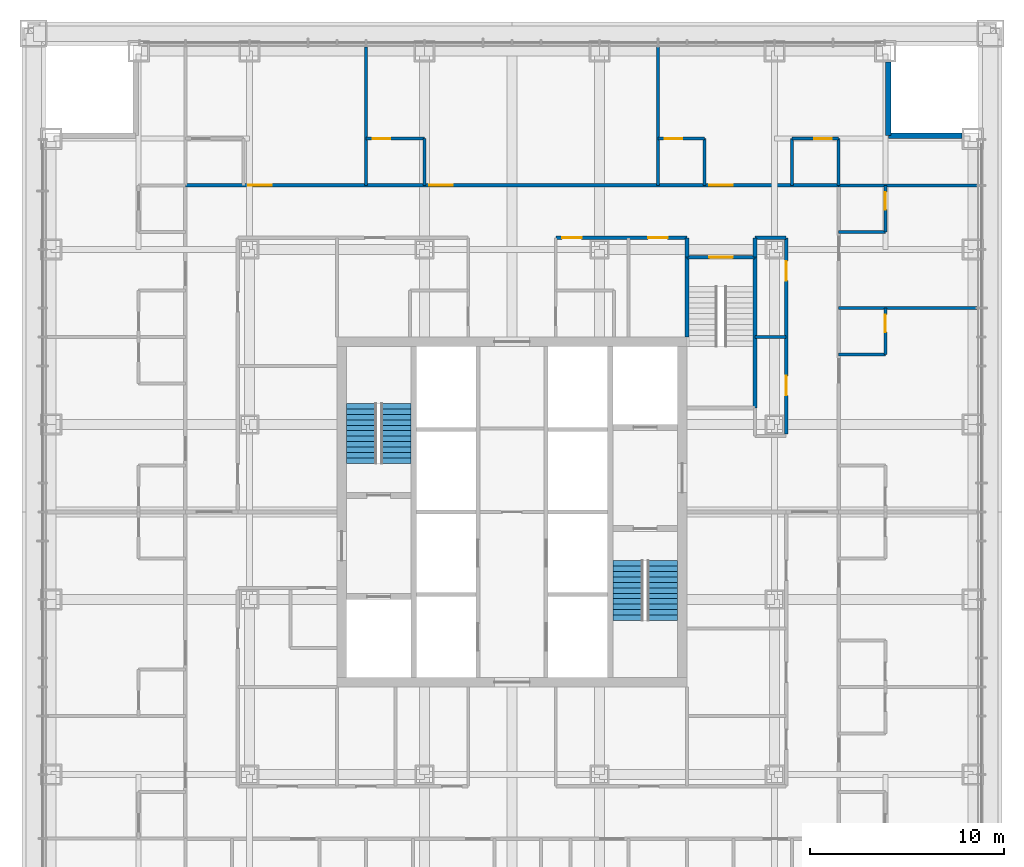
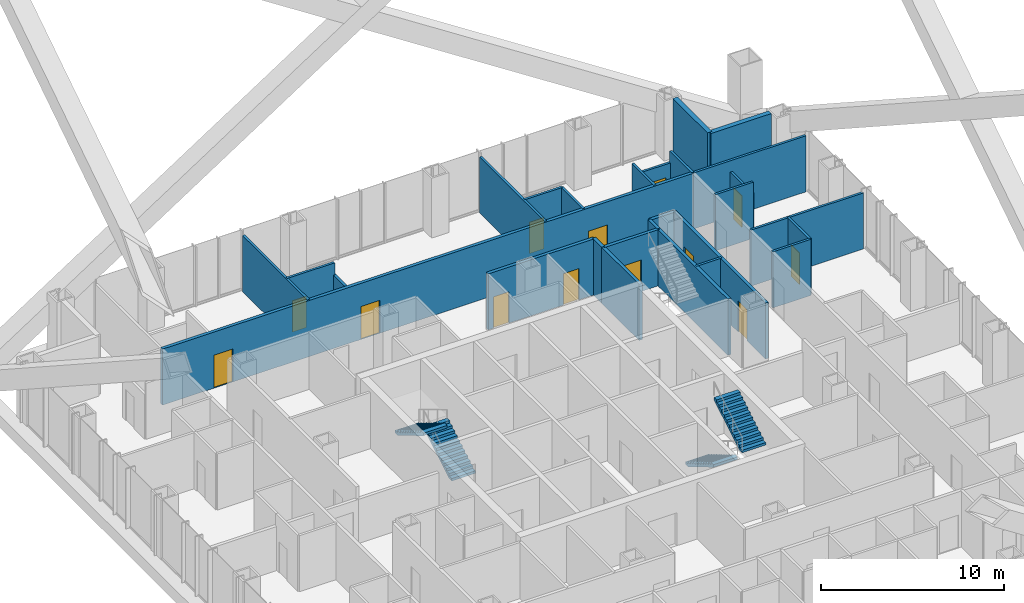
# One storey, part 15 of 21: 27 walls, 13 doors, 4 stair flights, 13 openings, 2 elements without a shape of their own.
"""IFC4 building model written with IfcOpenShell, lengths in metres."""

from ifc_helpers import new_model, si_unit, direction, frame, frame_2d, origin, place, context, subcontext, project, spatial, polyline, rectangle, outline, extrude, material, layer, layer_set, type_object, element, fill, aggregate, save


model = new_model("IFC4")

# Units and contexts
model_context = context("Model", 3, precision=1e-05, world=origin(), true_north=direction((0.0, 1.0)))
body_context = subcontext(model_context, "Body", "Model", "MODEL_VIEW")
ifc_project = project(units=[si_unit("LENGTHUNIT", "METRE"), si_unit("AREAUNIT", "SQUARE_METRE"), si_unit("VOLUMEUNIT", "CUBIC_METRE"), si_unit("PLANEANGLEUNIT", "RADIAN"), si_unit("MASSUNIT", "GRAM", prefix="KILO")], contexts=[model_context])

# Site, building, storey
site_placement = place(None, origin())
site = spatial("IfcSite", under=ifc_project, at=site_placement, CompositionType="ELEMENT")
building_placement = place(site_placement, origin())
building = spatial("IfcBuilding", under=site, at=building_placement, Name="Malebo Sky Hospital", CompositionType="ELEMENT")
storey_placement = place(building_placement, frame((0.0, 0.0, 140.0)))
storey = spatial("IfcBuildingStorey", under=building, at=storey_placement, Name="L33", CompositionType="ELEMENT", Elevation=140.0)

# Wall, openings, doors
ifc_material_1 = material(Name="Gypsum board on steel studs", Category="steel")
ifc_layer_1 = layer(ifc_material_1, 0.199951171875)
ifc_layer_set_1 = layer_set([ifc_layer_1], Name="CORRIDOR WALL 200")
wall_type_1 = type_object("IfcWallType", Name="CORRIDOR WALL 200", PredefinedType="PARTITIONING", material=ifc_layer_set_1)
wall_1_placement = place(storey_placement, frame((43.199951171875, 78.800048828125, 0.0), z_axis=(0.0, 0.0, 1.0), x_axis=(1.0, 0.0, 0.0)))
wall_1 = element("IfcWall", 1, at=wall_1_placement, inside=storey, type_object=wall_type_1, Name="Corridor Wall 200 NCO", PredefinedType="PARTITIONING", context=body_context, shape_type="SweptSolid", body=[
    extrude(rectangle(XDim=33.60009765625, YDim=0.199951171875, at=frame_2d((16.800048828125, 0.0))), origin(), (0.0, 0.0, 1.0), 3.75),
])
opening_1_placement = place(wall_1_placement, frame((3.25, 0.0, 0.0)))
opening_1 = element("IfcOpeningElement", 2, at=opening_1_placement, cuts=wall_1, Name="Opening D01", PredefinedType="OPENING", context=body_context, shape_type="SweptSolid", body=[
    extrude(rectangle(XDim=1.199951171875, YDim=2.199951171875, at=frame_2d((0.60009765625, 1.10009765625))), frame((0.0, 0.10986328125, 0.0), z_axis=(0.0, -1.0, 0.0), x_axis=(1.0, 0.0, 0.0)), (0.0, 0.0, 1.0), 0.219970703125),
])
opening_2_placement = place(wall_1_placement, frame((12.550048828125, 0.0, 0.0)))
opening_2 = element("IfcOpeningElement", 3, at=opening_2_placement, cuts=wall_1, Name="Opening D01", PredefinedType="OPENING", context=body_context, shape_type="SweptSolid", body=[
    extrude(rectangle(XDim=1.199951171875, YDim=2.199951171875, at=frame_2d((0.60009765625, 1.10009765625))), frame((0.0, 0.10986328125, 0.0), z_axis=(0.0, -1.0, 0.0), x_axis=(1.0, 0.0, 0.0)), (0.0, 0.0, 1.0), 0.219970703125),
])
opening_3_placement = place(wall_1_placement, frame((26.949951171875, 0.0, 0.0)))
opening_3 = element("IfcOpeningElement", 4, at=opening_3_placement, cuts=wall_1, Name="Opening D01", PredefinedType="OPENING", context=body_context, shape_type="SweptSolid", body=[
    extrude(rectangle(XDim=1.199951171875, YDim=2.199951171875, at=frame_2d((0.60009765625, 1.10009765625))), frame((0.0, 0.10986328125, 0.0), z_axis=(0.0, -1.0, 0.0), x_axis=(1.0, 0.0, 0.0)), (0.0, 0.0, 1.0), 0.219970703125),
])
ifc_material_2 = material(Name="Hardwood-faced door leaf in steel frame", Category="steel")
door_type_1 = type_object("IfcDoorType", Name="BED DOOR 1200", OperationType="SINGLE_SWING_LEFT", PredefinedType="DOOR", material=ifc_material_2)
door_1_placement = place(opening_1_placement, origin())
door_1 = element("IfcDoor", 5, at=door_1_placement, inside=storey, type_object=door_type_1, Name="Dialysis bay door", OperationType="SINGLE_SWING_LEFT", OverallHeight=2.199951171875, OverallWidth=1.199951171875, PredefinedType="DOOR", context=body_context, shape_type="SweptSolid", body=[
    extrude(rectangle(XDim=1.199951171875, YDim=2.199951171875, at=frame_2d((0.60009765625, 1.10009765625))), frame((0.0, 0.02490234375, 0.0), z_axis=(0.0, -1.0, 0.0), x_axis=(1.0, 0.0, 0.0)), (0.0, 0.0, 1.0), 0.050048828125),
])
fill(opening_1, door_1)
door_2_placement = place(opening_2_placement, origin())
door_2 = element("IfcDoor", 6, at=door_2_placement, inside=storey, type_object=door_type_1, Name="Dialysis bay door", OperationType="SINGLE_SWING_LEFT", OverallHeight=2.199951171875, OverallWidth=1.199951171875, PredefinedType="DOOR", context=body_context, shape_type="SweptSolid", body=[
    extrude(rectangle(XDim=1.199951171875, YDim=2.199951171875, at=frame_2d((0.60009765625, 1.10009765625))), frame((0.0, 0.02490234375, 0.0), z_axis=(0.0, -1.0, 0.0), x_axis=(1.0, 0.0, 0.0)), (0.0, 0.0, 1.0), 0.050048828125),
])
fill(opening_2, door_2)
door_3_placement = place(opening_3_placement, origin())
door_3 = element("IfcDoor", 7, at=door_3_placement, inside=storey, type_object=door_type_1, Name="Four-bed bay door", OperationType="SINGLE_SWING_LEFT", OverallHeight=2.199951171875, OverallWidth=1.199951171875, PredefinedType="DOOR", context=body_context, shape_type="SweptSolid", body=[
    extrude(rectangle(XDim=1.199951171875, YDim=2.199951171875, at=frame_2d((0.60009765625, 1.10009765625))), frame((0.0, 0.02490234375, 0.0), z_axis=(0.0, -1.0, 0.0), x_axis=(1.0, 0.0, 0.0)), (0.0, 0.0, 1.0), 0.050048828125),
])
fill(opening_3, door_3)

wall_2_placement = place(storey_placement, frame((62.25, 76.10009765625, 0.0), z_axis=(0.0, 0.0, 1.0), x_axis=(1.0, 0.0, 0.0)))
wall_2 = element("IfcWall", 8, at=wall_2_placement, inside=storey, type_object=wall_type_1, Name="Corridor Wall 200 NCI2", PredefinedType="PARTITIONING", context=body_context, shape_type="SweptSolid", body=[
    extrude(rectangle(XDim=6.75, YDim=0.199951171875, at=frame_2d((3.375, 0.0))), origin(), (0.0, 0.0, 1.0), 3.75),
])
opening_4_placement = place(wall_2_placement, frame((0.324951171875, 0.0, 0.0)))
opening_4 = element("IfcOpeningElement", 9, at=opening_4_placement, cuts=wall_2, Name="Opening D03", PredefinedType="OPENING", context=body_context, shape_type="SweptSolid", body=[
    extrude(rectangle(XDim=1.0, YDim=2.10009765625, at=frame_2d((0.5, 1.050048828125))), frame((0.0, 0.10986328125, 0.0), z_axis=(0.0, -1.0, 0.0), x_axis=(1.0, 0.0, 0.0)), (0.0, 0.0, 1.0), 0.219970703125),
])
opening_5_placement = place(wall_2_placement, frame((4.75, 0.0, 0.0)))
opening_5 = element("IfcOpeningElement", 10, at=opening_5_placement, cuts=wall_2, Name="Opening D03", PredefinedType="OPENING", context=body_context, shape_type="SweptSolid", body=[
    extrude(rectangle(XDim=1.0, YDim=2.10009765625, at=frame_2d((0.5, 1.050048828125))), frame((0.0, 0.10986328125, 0.0), z_axis=(0.0, -1.0, 0.0), x_axis=(1.0, 0.0, 0.0)), (0.0, 0.0, 1.0), 0.219970703125),
])
door_type_2 = type_object("IfcDoorType", Name="ROOM DOOR 1000", OperationType="SINGLE_SWING_LEFT", PredefinedType="DOOR", material=ifc_material_2)
door_4_placement = place(opening_4_placement, origin())
door_4 = element("IfcDoor", 11, at=door_4_placement, inside=storey, type_object=door_type_2, Name="Linen store door", OperationType="SINGLE_SWING_LEFT", OverallHeight=2.10009765625, OverallWidth=1.0, PredefinedType="DOOR", context=body_context, shape_type="SweptSolid", body=[
    extrude(rectangle(XDim=1.0, YDim=2.10009765625, at=frame_2d((0.5, 1.050048828125))), frame((0.0, 0.02490234375, 0.0), z_axis=(0.0, -1.0, 0.0), x_axis=(1.0, 0.0, 0.0)), (0.0, 0.0, 1.0), 0.050048828125),
])
fill(opening_4, door_4)
door_5_placement = place(opening_5_placement, origin())
door_5 = element("IfcDoor", 12, at=door_5_placement, inside=storey, type_object=door_type_2, Name="Equipment store door", OperationType="SINGLE_SWING_RIGHT", OverallHeight=2.10009765625, OverallWidth=1.0, PredefinedType="DOOR", context=body_context, shape_type="SweptSolid", body=[
    extrude(rectangle(XDim=1.0, YDim=2.10009765625, at=frame_2d((0.5, 1.050048828125))), frame((0.0, 0.02490234375, 0.0), z_axis=(0.0, -1.0, 0.0), x_axis=(1.0, 0.0, 0.0)), (0.0, 0.0, 1.0), 0.050048828125),
])
fill(opening_5, door_5)

# Wall
wall_3_placement = place(storey_placement, frame((72.5, 76.10009765625, 0.0), z_axis=(0.0, 0.0, 1.0), x_axis=(1.0, 0.0, 0.0)))
element("IfcWall", 13, at=wall_3_placement, inside=storey, type_object=wall_type_1, Name="Corridor Wall 200 NCI2/2", PredefinedType="PARTITIONING", context=body_context, shape_type="SweptSolid", body=[
    extrude(rectangle(XDim=1.60009765625, YDim=0.199951171875, at=frame_2d((0.800048828125, 0.0))), origin(), (0.0, 0.0, 1.0), 3.75),
])

# Wall, openings, doors
wall_4_placement = place(storey_placement, frame((74.10009765625, 76.10009765625, 0.0), z_axis=(0.0, 0.0, 1.0), x_axis=(0.0, -1.0, 0.0)))
wall_4 = element("IfcWall", 14, at=wall_4_placement, inside=storey, type_object=wall_type_1, Name="Corridor Wall 200 ECI1", PredefinedType="PARTITIONING", context=body_context, shape_type="SweptSolid", body=[
    extrude(rectangle(XDim=10.10009765625, YDim=0.199951171875, at=frame_2d((5.050048828125, 0.0))), origin(), (0.0, 0.0, 1.0), 3.75),
])
opening_6_placement = place(wall_4_placement, frame((1.199951171875, 0.0, 0.0)))
opening_6 = element("IfcOpeningElement", 15, at=opening_6_placement, cuts=wall_4, Name="Opening D03", PredefinedType="OPENING", context=body_context, shape_type="SweptSolid", body=[
    extrude(rectangle(XDim=1.0, YDim=2.10009765625, at=frame_2d((0.5, 1.050048828125))), frame((0.0, 0.10986328125, 0.0), z_axis=(0.0, -1.0, 0.0), x_axis=(1.0, 0.0, 0.0)), (0.0, 0.0, 1.0), 0.219970703125),
])
opening_7_placement = place(wall_4_placement, frame((7.10009765625, 0.0, 0.0)))
opening_7 = element("IfcOpeningElement", 16, at=opening_7_placement, cuts=wall_4, Name="Opening D03", PredefinedType="OPENING", context=body_context, shape_type="SweptSolid", body=[
    extrude(rectangle(XDim=1.0, YDim=2.10009765625, at=frame_2d((0.5, 1.050048828125))), frame((0.0, 0.10986328125, 0.0), z_axis=(0.0, -1.0, 0.0), x_axis=(1.0, 0.0, 0.0)), (0.0, 0.0, 1.0), 0.219970703125),
])
door_6_placement = place(opening_6_placement, origin())
door_6 = element("IfcDoor", 17, at=door_6_placement, inside=storey, type_object=door_type_2, Name="Consulting room door", OperationType="SINGLE_SWING_LEFT", OverallHeight=2.10009765625, OverallWidth=1.0, PredefinedType="DOOR", context=body_context, shape_type="SweptSolid", body=[
    extrude(rectangle(XDim=1.0, YDim=2.10009765625, at=frame_2d((0.5, 1.050048828125))), frame((0.0, 0.02490234375, 0.0), z_axis=(0.0, -1.0, 0.0), x_axis=(1.0, 0.0, 0.0)), (0.0, 0.0, 1.0), 0.050048828125),
])
fill(opening_6, door_6)
door_7_placement = place(opening_7_placement, origin())
door_7 = element("IfcDoor", 18, at=door_7_placement, inside=storey, type_object=door_type_2, Name="Dietitian consulting room door", OperationType="SINGLE_SWING_LEFT", OverallHeight=2.10009765625, OverallWidth=1.0, PredefinedType="DOOR", context=body_context, shape_type="SweptSolid", body=[
    extrude(rectangle(XDim=1.0, YDim=2.10009765625, at=frame_2d((0.5, 1.050048828125))), frame((0.0, 0.02490234375, 0.0), z_axis=(0.0, -1.0, 0.0), x_axis=(1.0, 0.0, 0.0)), (0.0, 0.0, 1.0), 0.050048828125),
])
fill(opening_7, door_7)

# Walls
for number, where, z_axis, x_axis, name in (
    (19, (69.0, 75.10009765625, 0.0), (0.0, 0.0, 1.0), (0.0, 1.0, 0.0), "Corridor Wall 200 ST3AW"),
    (20, (72.5, 75.10009765625, 0.0), (0.0, 0.0, 1.0), (0.0, 1.0, 0.0), "Corridor Wall 200 ST3AE"),
):
    element("IfcWall", number, at=place(storey_placement, frame(where, z_axis=z_axis, x_axis=x_axis)), inside=storey, type_object=wall_type_1, Name=name, PredefinedType="PARTITIONING", context=body_context, shape_type="SweptSolid", body=[
        extrude(rectangle(XDim=1.0, YDim=0.199951171875, at=frame_2d((0.5, 0.0))), origin(), (0.0, 0.0, 1.0), 3.75),
    ])
ifc_material_3 = material(Name="Anodised aluminium rainscreen on steel framing", Category="steel")
ifc_layer_2 = layer(ifc_material_3, 0.300048828125)
ifc_layer_set_2 = layer_set([ifc_layer_2], Name="NOTCH RAINSCREEN WALL 300")
wall_type_2 = type_object("IfcWallType", Name="NOTCH RAINSCREEN WALL 300", PredefinedType="ELEMENTEDWALL", material=ifc_layer_set_2)
for number, where, z_axis, x_axis, name in (
    (21, (79.35009765625, 85.14990234375, 0.0), (0.0, 0.0, 1.0), (0.0, -1.0, 0.0), "Notch rainscreen wall N1 L33"),
    (22, (79.35009765625, 81.35009765625, 0.0), (0.0, 0.0, 1.0), (1.0, 0.0, 0.0), "Notch rainscreen wall N2 L33"),
):
    element("IfcWall", number, at=place(storey_placement, frame(where, z_axis=z_axis, x_axis=x_axis)), inside=storey, type_object=wall_type_2, Name=name, PredefinedType="ELEMENTEDWALL", context=body_context, shape_type="SweptSolid", body=[
        extrude(rectangle(XDim=3.7998046875, YDim=0.300048828125, at=frame_2d((1.89990234375, 0.0))), origin(), (0.0, 0.0, 1.0), 4.0),
    ])
ifc_layer_3 = layer(ifc_material_1, 0.14990234375)
ifc_layer_set_3 = layer_set([ifc_layer_3], Name="PARTITION 150")
wall_type_3 = type_object("IfcWallType", Name="PARTITION 150", PredefinedType="PARTITIONING", material=ifc_layer_set_3)
for number, where, z_axis, x_axis, name in (
    (23, (52.5, 78.800048828125, 0.0), (0.0, 0.0, 1.0), (0.0, 1.0, 0.0), "Partition 150 NP-7.5"),
    (24, (67.5, 78.800048828125, 0.0), (0.0, 0.0, 1.0), (0.0, 1.0, 0.0), "Partition 150 NP+7.5"),
):
    element("IfcWall", number, at=place(storey_placement, frame(where, z_axis=z_axis, x_axis=x_axis)), inside=storey, type_object=wall_type_3, Name=name, PredefinedType="PARTITIONING", context=body_context, shape_type="SweptSolid", body=[
        extrude(rectangle(XDim=7.10986328125, YDim=0.14990234375, at=frame_2d((3.554931640625, 0.0))), origin(), (0.0, 0.0, 1.0), 3.75),
    ])

# Wall, opening, door
wall_5_placement = place(storey_placement, frame((52.5, 81.199951171875, 0.0), z_axis=(0.0, 0.0, 1.0), x_axis=(1.0, 0.0, 0.0)))
wall_5 = element("IfcWall", 25, at=wall_5_placement, inside=storey, type_object=wall_type_3, Name="Partition 150 NE1F", PredefinedType="PARTITIONING", context=body_context, shape_type="SweptSolid", body=[
    extrude(rectangle(XDim=3.0, YDim=0.14990234375, at=frame_2d((1.5, 0.0))), origin(), (0.0, 0.0, 1.0), 3.75),
])
opening_8_placement = place(wall_5_placement, frame((0.35009765625, 0.0, 0.0)))
opening_8 = element("IfcOpeningElement", 26, at=opening_8_placement, cuts=wall_5, Name="Opening D02", PredefinedType="OPENING", context=body_context, shape_type="SweptSolid", body=[
    extrude(rectangle(XDim=0.89990234375, YDim=2.10009765625, at=frame_2d((0.449951171875, 1.050048828125))), frame((0.0, 0.0849609375, 0.0), z_axis=(0.0, -1.0, 0.0), x_axis=(1.0, 0.0, 0.0)), (0.0, 0.0, 1.0), 0.169921875),
])
door_type_3 = type_object("IfcDoorType", Name="EN-SUITE DOOR 900", OperationType="SINGLE_SWING_LEFT", PredefinedType="DOOR", material=ifc_material_2)
door_8_placement = place(opening_8_placement, origin())
door_8 = element("IfcDoor", 27, at=door_8_placement, inside=storey, type_object=door_type_3, Name="Patient WC door", OperationType="SINGLE_SWING_LEFT", OverallHeight=2.10009765625, OverallWidth=0.89990234375, PredefinedType="DOOR", context=body_context, shape_type="SweptSolid", body=[
    extrude(rectangle(XDim=0.89990234375, YDim=2.10009765625, at=frame_2d((0.449951171875, 1.050048828125))), frame((0.0, 0.02490234375, 0.0), z_axis=(0.0, -1.0, 0.0), x_axis=(1.0, 0.0, 0.0)), (0.0, 0.0, 1.0), 0.050048828125),
])
fill(opening_8, door_8)

# Wall
wall_6_placement = place(storey_placement, frame((55.5, 78.800048828125, 0.0), z_axis=(0.0, 0.0, 1.0), x_axis=(0.0, 1.0, 0.0)))
element("IfcWall", 28, at=wall_6_placement, inside=storey, type_object=wall_type_3, Name="Partition 150 NE1S", PredefinedType="PARTITIONING", context=body_context, shape_type="SweptSolid", body=[
    extrude(rectangle(XDim=2.39990234375, YDim=0.14990234375, at=frame_2d((1.199951171875, 0.0))), origin(), (0.0, 0.0, 1.0), 2.949951171875),
])

# Wall, opening, door
wall_7_placement = place(storey_placement, frame((67.5, 81.199951171875, 0.0), z_axis=(0.0, 0.0, 1.0), x_axis=(1.0, 0.0, 0.0)))
wall_7 = element("IfcWall", 29, at=wall_7_placement, inside=storey, type_object=wall_type_3, Name="Partition 150 NE2F", PredefinedType="PARTITIONING", context=body_context, shape_type="SweptSolid", body=[
    extrude(rectangle(XDim=2.39990234375, YDim=0.14990234375, at=frame_2d((1.199951171875, 0.0))), origin(), (0.0, 0.0, 1.0), 3.75),
])
opening_9_placement = place(wall_7_placement, frame((0.35009765625, 0.0, 0.0)))
opening_9 = element("IfcOpeningElement", 30, at=opening_9_placement, cuts=wall_7, Name="Opening D02", PredefinedType="OPENING", context=body_context, shape_type="SweptSolid", body=[
    extrude(rectangle(XDim=0.89990234375, YDim=2.10009765625, at=frame_2d((0.449951171875, 1.050048828125))), frame((0.0, 0.0849609375, 0.0), z_axis=(0.0, -1.0, 0.0), x_axis=(1.0, 0.0, 0.0)), (0.0, 0.0, 1.0), 0.169921875),
])
door_9_placement = place(opening_9_placement, origin())
door_9 = element("IfcDoor", 31, at=door_9_placement, inside=storey, type_object=door_type_3, Name="En-suite door", OperationType="SINGLE_SWING_LEFT", OverallHeight=2.10009765625, OverallWidth=0.89990234375, PredefinedType="DOOR", context=body_context, shape_type="SweptSolid", body=[
    extrude(rectangle(XDim=0.89990234375, YDim=2.10009765625, at=frame_2d((0.449951171875, 1.050048828125))), frame((0.0, 0.02490234375, 0.0), z_axis=(0.0, -1.0, 0.0), x_axis=(1.0, 0.0, 0.0)), (0.0, 0.0, 1.0), 0.050048828125),
])
fill(opening_9, door_9)

# Wall
wall_8_placement = place(storey_placement, frame((69.89990234375, 78.800048828125, 0.0), z_axis=(0.0, 0.0, 1.0), x_axis=(0.0, 1.0, 0.0)))
element("IfcWall", 32, at=wall_8_placement, inside=storey, type_object=wall_type_3, Name="Partition 150 NE2S", PredefinedType="PARTITIONING", context=body_context, shape_type="SweptSolid", body=[
    extrude(rectangle(XDim=2.39990234375, YDim=0.14990234375, at=frame_2d((1.199951171875, 0.0))), origin(), (0.0, 0.0, 1.0), 3.75),
])

# Wall, opening, door
wall_9_placement = place(storey_placement, frame((74.39990234375, 81.199951171875, 0.0), z_axis=(0.0, 0.0, 1.0), x_axis=(1.0, 0.0, 0.0)))
wall_9 = element("IfcWall", 33, at=wall_9_placement, inside=storey, type_object=wall_type_3, Name="Partition 150 NG2F", PredefinedType="PARTITIONING", context=body_context, shape_type="SweptSolid", body=[
    extrude(rectangle(XDim=2.400146484375, YDim=0.14990234375, at=frame_2d((1.2001953125, 0.0))), origin(), (0.0, 0.0, 1.0), 2.9970703125),
])
opening_10_placement = place(wall_9_placement, frame((1.14990234375, 0.0, 0.0)))
opening_10 = element("IfcOpeningElement", 34, at=opening_10_placement, cuts=wall_9, Name="Opening D02", PredefinedType="OPENING", context=body_context, shape_type="SweptSolid", body=[
    extrude(rectangle(XDim=0.89990234375, YDim=2.10009765625, at=frame_2d((0.449951171875, 1.050048828125))), frame((0.0, 0.0849609375, 0.0), z_axis=(0.0, -1.0, 0.0), x_axis=(1.0, 0.0, 0.0)), (0.0, 0.0, 1.0), 0.169921875),
])
door_10_placement = place(opening_10_placement, origin())
door_10 = element("IfcDoor", 35, at=door_10_placement, inside=storey, type_object=door_type_3, Name="En-suite door", OperationType="SINGLE_SWING_RIGHT", OverallHeight=2.10009765625, OverallWidth=0.89990234375, PredefinedType="DOOR", context=body_context, shape_type="SweptSolid", body=[
    extrude(rectangle(XDim=0.89990234375, YDim=2.10009765625, at=frame_2d((0.449951171875, 1.050048828125))), frame((0.0, 0.02490234375, 0.0), z_axis=(0.0, -1.0, 0.0), x_axis=(1.0, 0.0, 0.0)), (0.0, 0.0, 1.0), 0.050048828125),
])
fill(opening_10, door_10)

# Walls
for number, where, z_axis, x_axis, name in (
    (36, (74.39990234375, 78.800048828125, 0.0), (0.0, 0.0, 1.0), (0.0, 1.0, 0.0), "Partition 150 NG2S"),
    (37, (76.800048828125, 78.800048828125, 0.0), (0.0, 0.0, 1.0), (0.0, 1.0, 0.0), "Partition 150 NEZ"),
):
    element("IfcWall", number, at=place(storey_placement, frame(where, z_axis=z_axis, x_axis=x_axis)), inside=storey, type_object=wall_type_3, Name=name, PredefinedType="PARTITIONING", context=body_context, shape_type="SweptSolid", body=[
        extrude(rectangle(XDim=2.39990234375, YDim=0.14990234375, at=frame_2d((1.199951171875, 0.0))), origin(), (0.0, 0.0, 1.0), 3.75),
    ])
for number, where, z_axis, x_axis, name in (
    (38, (76.800048828125, 72.5, 0.0), (0.0, 0.0, 1.0), (1.0, 0.0, 0.0), "Partition 150 EP-10.5"),
    (39, (76.800048828125, 78.800048828125, 0.0), (0.0, 0.0, 1.0), (1.0, 0.0, 0.0), "Partition 150 EP0"),
):
    element("IfcWall", number, at=place(storey_placement, frame(where, z_axis=z_axis, x_axis=x_axis)), inside=storey, type_object=wall_type_3, Name=name, PredefinedType="PARTITIONING", context=body_context, shape_type="SweptSolid", body=[
        extrude(rectangle(XDim=7.10986328125, YDim=0.14990234375, at=frame_2d((3.554931640625, 0.0))), origin(), (0.0, 0.0, 1.0), 3.75),
    ])

# Wall, opening, door
wall_10_placement = place(storey_placement, frame((79.199951171875, 78.800048828125, 0.0), z_axis=(0.0, 0.0, 1.0), x_axis=(0.0, -1.0, 0.0)))
wall_10 = element("IfcWall", 40, at=wall_10_placement, inside=storey, type_object=wall_type_3, Name="Partition 150 EE0F", PredefinedType="PARTITIONING", context=body_context, shape_type="SweptSolid", body=[
    extrude(rectangle(XDim=2.400146484375, YDim=0.14990234375, at=frame_2d((1.2001953125, 0.0))), origin(), (0.0, 0.0, 1.0), 2.9970703125),
])
opening_11_placement = place(wall_10_placement, frame((0.35009765625, 0.0, 0.0)))
opening_11 = element("IfcOpeningElement", 41, at=opening_11_placement, cuts=wall_10, Name="Opening D02", PredefinedType="OPENING", context=body_context, shape_type="SweptSolid", body=[
    extrude(rectangle(XDim=0.89990234375, YDim=2.10009765625, at=frame_2d((0.449951171875, 1.050048828125))), frame((0.0, 0.0849609375, 0.0), z_axis=(0.0, -1.0, 0.0), x_axis=(1.0, 0.0, 0.0)), (0.0, 0.0, 1.0), 0.169921875),
])
door_11_placement = place(opening_11_placement, origin())
door_11 = element("IfcDoor", 42, at=door_11_placement, inside=storey, type_object=door_type_3, Name="En-suite door", OperationType="SINGLE_SWING_LEFT", OverallHeight=2.10009765625, OverallWidth=0.89990234375, PredefinedType="DOOR", context=body_context, shape_type="SweptSolid", body=[
    extrude(rectangle(XDim=0.89990234375, YDim=2.10009765625, at=frame_2d((0.449951171875, 1.050048828125))), frame((0.0, 0.02490234375, 0.0), z_axis=(0.0, -1.0, 0.0), x_axis=(1.0, 0.0, 0.0)), (0.0, 0.0, 1.0), 0.050048828125),
])
fill(opening_11, door_11)

# Wall
wall_11_placement = place(storey_placement, frame((76.800048828125, 76.39990234375, 0.0), z_axis=(0.0, 0.0, 1.0), x_axis=(1.0, 0.0, 0.0)))
element("IfcWall", 43, at=wall_11_placement, inside=storey, type_object=wall_type_3, Name="Partition 150 EE0S", PredefinedType="PARTITIONING", context=body_context, shape_type="SweptSolid", body=[
    extrude(rectangle(XDim=2.39990234375, YDim=0.14990234375, at=frame_2d((1.199951171875, 0.0))), origin(), (0.0, 0.0, 1.0), 3.75),
])

# Wall, opening, door
wall_12_placement = place(storey_placement, frame((79.199951171875, 72.5, 0.0), z_axis=(0.0, 0.0, 1.0), x_axis=(0.0, -1.0, 0.0)))
wall_12 = element("IfcWall", 44, at=wall_12_placement, inside=storey, type_object=wall_type_3, Name="Partition 150 EE1F", PredefinedType="PARTITIONING", context=body_context, shape_type="SweptSolid", body=[
    extrude(rectangle(XDim=2.39990234375, YDim=0.14990234375, at=frame_2d((1.199951171875, 0.0))), origin(), (0.0, 0.0, 1.0), 3.75),
])
opening_12_placement = place(wall_12_placement, frame((0.35009765625, 0.0, 0.0)))
opening_12 = element("IfcOpeningElement", 45, at=opening_12_placement, cuts=wall_12, Name="Opening D02", PredefinedType="OPENING", context=body_context, shape_type="SweptSolid", body=[
    extrude(rectangle(XDim=0.89990234375, YDim=2.10009765625, at=frame_2d((0.449951171875, 1.050048828125))), frame((0.0, 0.0849609375, 0.0), z_axis=(0.0, -1.0, 0.0), x_axis=(1.0, 0.0, 0.0)), (0.0, 0.0, 1.0), 0.169921875),
])
door_12_placement = place(opening_12_placement, origin())
door_12 = element("IfcDoor", 46, at=door_12_placement, inside=storey, type_object=door_type_3, Name="En-suite door", OperationType="SINGLE_SWING_LEFT", OverallHeight=2.10009765625, OverallWidth=0.89990234375, PredefinedType="DOOR", context=body_context, shape_type="SweptSolid", body=[
    extrude(rectangle(XDim=0.89990234375, YDim=2.10009765625, at=frame_2d((0.449951171875, 1.050048828125))), frame((0.0, 0.02490234375, 0.0), z_axis=(0.0, -1.0, 0.0), x_axis=(1.0, 0.0, 0.0)), (0.0, 0.0, 1.0), 0.050048828125),
])
fill(opening_12, door_12)

# Walls
wall_13_placement = place(storey_placement, frame((76.800048828125, 70.10009765625, 0.0), z_axis=(0.0, 0.0, 1.0), x_axis=(1.0, 0.0, 0.0)))
element("IfcWall", 47, at=wall_13_placement, inside=storey, type_object=wall_type_3, Name="Partition 150 EE1S", PredefinedType="PARTITIONING", context=body_context, shape_type="SweptSolid", body=[
    extrude(rectangle(XDim=2.39990234375, YDim=0.14990234375, at=frame_2d((1.199951171875, 0.0))), origin(), (0.0, 0.0, 1.0), 3.75),
])
wall_14_placement = place(storey_placement, frame((72.5, 71.0, 0.0), z_axis=(0.0, 0.0, 1.0), x_axis=(1.0, 0.0, 0.0)))
element("IfcWall", 48, at=wall_14_placement, inside=storey, type_object=wall_type_3, Name="Partition 150 ESP0", PredefinedType="PARTITIONING", context=body_context, shape_type="SweptSolid", body=[
    extrude(rectangle(XDim=1.60009765625, YDim=0.14990234375, at=frame_2d((0.800048828125, 0.0))), origin(), (0.0, 0.0, 1.0), 3.75),
])
ifc_material_4 = material(Name="Concrete C40/50", Category="concrete")
ifc_layer_4 = layer(ifc_material_4, 0.199951171875)
ifc_layer_set_4 = layer_set([ifc_layer_4], Name="STAIR ENCLOSURE WALL 200")
wall_type_4 = type_object("IfcWallType", Name="STAIR ENCLOSURE WALL 200", PredefinedType="SOLIDWALL", material=ifc_layer_set_4)
wall_15_placement = place(storey_placement, frame((69.0, 71.0, 0.0), z_axis=(0.0, 0.0, 1.0), x_axis=(0.0, 1.0, 0.0)))
element("IfcWall", 49, at=wall_15_placement, inside=storey, type_object=wall_type_4, Name="Stair Enclosure Wall 200 ST3W", PredefinedType="SOLIDWALL", context=body_context, shape_type="SweptSolid", body=[
    extrude(rectangle(XDim=4.10009765625, YDim=0.199951171875, at=frame_2d((2.050048828125, 0.0))), origin(), (0.0, 0.0, 1.0), 3.75),
])
wall_16_placement = place(storey_placement, frame((72.5, 67.35009765625, 0.0), z_axis=(0.0, 0.0, 1.0), x_axis=(0.0, 1.0, 0.0)))
element("IfcWall", 50, at=wall_16_placement, inside=storey, type_object=wall_type_4, Name="Stair Enclosure Wall 200 ST3E", PredefinedType="SOLIDWALL", context=body_context, shape_type="SweptSolid", body=[
    extrude(rectangle(XDim=7.75, YDim=0.199951171875, at=frame_2d((3.875, 0.0))), origin(), (0.0, 0.0, 1.0), 3.75),
])

# Wall, opening, door
wall_17_placement = place(storey_placement, frame((69.0, 75.10009765625, 0.0), z_axis=(0.0, 0.0, 1.0), x_axis=(1.0, 0.0, 0.0)))
wall_17 = element("IfcWall", 51, at=wall_17_placement, inside=storey, type_object=wall_type_4, Name="Stair Enclosure Wall 200 ST3N", PredefinedType="SOLIDWALL", context=body_context, shape_type="SweptSolid", body=[
    extrude(rectangle(XDim=3.5, YDim=0.199951171875, at=frame_2d((1.75, 0.0))), origin(), (0.0, 0.0, 1.0), 3.75),
])
opening_13_placement = place(wall_17_placement, frame((1.14990234375, 0.0, 0.0)))
opening_13 = element("IfcOpeningElement", 52, at=opening_13_placement, cuts=wall_17, Name="Opening D08", PredefinedType="OPENING", context=body_context, shape_type="SweptSolid", body=[
    extrude(rectangle(XDim=1.199951171875, YDim=2.10009765625, at=frame_2d((0.60009765625, 1.050048828125))), frame((0.0, 0.10986328125, 0.0), z_axis=(0.0, -1.0, 0.0), x_axis=(1.0, 0.0, 0.0)), (0.0, 0.0, 1.0), 0.219970703125),
])
door_type_4 = type_object("IfcDoorType", Name="STAIR DOOR 1200", OperationType="SINGLE_SWING_LEFT", PredefinedType="DOOR", material=ifc_material_2)
door_13_placement = place(opening_13_placement, origin())
door_13 = element("IfcDoor", 53, at=door_13_placement, inside=storey, type_object=door_type_4, Name="Stair S3 door", OperationType="SINGLE_SWING_LEFT", OverallHeight=2.10009765625, OverallWidth=1.199951171875, PredefinedType="DOOR", context=body_context, shape_type="SweptSolid", body=[
    extrude(rectangle(XDim=1.199951171875, YDim=2.10009765625, at=frame_2d((0.60009765625, 1.050048828125))), frame((0.0, 0.02490234375, 0.0), z_axis=(0.0, -1.0, 0.0), x_axis=(1.0, 0.0, 0.0)), (0.0, 0.0, 1.0), 0.050048828125),
])
fill(opening_13, door_13)

# Stair, stair flights
stair_type = type_object("IfcStairType", Name="HALF-TURN STAIR 1500 R167", PredefinedType="HALF_TURN_STAIR", material=ifc_material_4)
stair_1_placement = place(storey_placement, origin())
stair_1 = element("IfcStair", 54, at=stair_1_placement, inside=storey, type_object=stair_type, Name="Stair S1 L33 type ST1", PredefinedType="HALF_TURN_STAIR")
stair_flight_type = type_object("IfcStairFlightType", Name="STAIR FLIGHT 1500 R167", PredefinedType="STRAIGHT", material=ifc_material_4)
stair_flight_1_placement = place(storey_placement, frame((54.050048828125, 64.5, 0.0), z_axis=(0.0, 0.0, 1.0), x_axis=(0.0, 1.0, 0.0)))
stair_flight_1 = element("IfcStairFlight", 55, at=stair_flight_1_placement, type_object=stair_flight_type, Name="S1 flight 1 type SF1", NumberOfRisers=12, NumberOfTreads=11, PredefinedType="STRAIGHT", RiserHeight=0.166666667, TreadLength=0.28, context=body_context, shape_type="SweptSolid", body=[
    extrude(outline(polyline([(0.0, 0.0), (0.0, 0.166748046875), (0.280029296875, 0.166748046875), (0.280029296875, 0.333251953125), (0.56005859375, 0.333251953125), (0.56005859375, 0.5), (0.840087890625, 0.5), (0.840087890625, 0.666748046875), (1.1201171875, 0.666748046875), (1.1201171875, 0.833251953125), (1.39990234375, 0.833251953125), (1.39990234375, 1.0), (1.679931640625, 1.0), (1.679931640625, 1.166748046875), (1.9599609375, 1.166748046875), (1.9599609375, 1.333251953125), (2.239990234375, 1.333251953125), (2.239990234375, 1.5), (2.52001953125, 1.5), (2.52001953125, 1.666748046875), (2.800048828125, 1.666748046875), (2.800048828125, 1.833251953125), (3.080078125, 1.833251953125), (3.080078125, 2.0), (3.080078125, 1.658935546875), (0.29296875, 0.0), (0.0, 0.0)])), frame((0.0, 0.75, 0.0), z_axis=(0.0, -1.0, 0.0), x_axis=(1.0, 0.0, 0.0)), (0.0, 0.0, 1.0), 1.5),
])
stair_flight_2_placement = place(storey_placement, frame((52.25, 67.580078125, 2.0), z_axis=(0.0, 0.0, 1.0), x_axis=(0.0, -1.0, 0.0)))
stair_flight_2 = element("IfcStairFlight", 56, at=stair_flight_2_placement, type_object=stair_flight_type, Name="S1 flight 2 type SF1", NumberOfRisers=12, NumberOfTreads=11, PredefinedType="STRAIGHT", RiserHeight=0.166666667, TreadLength=0.28, context=body_context, shape_type="SweptSolid", body=[
    extrude(outline(polyline([(0.0, 0.0), (0.0, 0.166748046875), (0.280029296875, 0.166748046875), (0.280029296875, 0.333251953125), (0.56005859375, 0.333251953125), (0.56005859375, 0.5), (0.840087890625, 0.5), (0.840087890625, 0.666748046875), (1.1201171875, 0.666748046875), (1.1201171875, 0.833251953125), (1.39990234375, 0.833251953125), (1.39990234375, 1.0), (1.679931640625, 1.0), (1.679931640625, 1.166748046875), (1.9599609375, 1.166748046875), (1.9599609375, 1.333251953125), (2.239990234375, 1.333251953125), (2.239990234375, 1.5), (2.52001953125, 1.5), (2.52001953125, 1.666748046875), (2.800048828125, 1.666748046875), (2.800048828125, 1.833251953125), (3.080078125, 1.833251953125), (3.080078125, 2.0), (3.080078125, 1.658935546875), (0.29296875, 0.0), (0.0, 0.0)])), frame((0.0, 0.75, 0.0), z_axis=(0.0, -1.0, 0.0), x_axis=(1.0, 0.0, 0.0)), (0.0, 0.0, 1.0), 1.5),
])
aggregate(stair_1, [stair_flight_1, stair_flight_2])

stair_2_placement = place(storey_placement, origin())
stair_2 = element("IfcStair", 57, at=stair_2_placement, inside=storey, type_object=stair_type, Name="Stair S2 L33 type ST1", PredefinedType="HALF_TURN_STAIR")
stair_flight_3_placement = place(storey_placement, frame((65.949951171875, 59.5, 0.0), z_axis=(0.0, 0.0, 1.0), x_axis=(0.0, -1.0, 0.0)))
stair_flight_3 = element("IfcStairFlight", 58, at=stair_flight_3_placement, type_object=stair_flight_type, Name="S2 flight 1 type SF1", NumberOfRisers=12, NumberOfTreads=11, PredefinedType="STRAIGHT", RiserHeight=0.166666667, TreadLength=0.28, context=body_context, shape_type="SweptSolid", body=[
    extrude(outline(polyline([(0.0, 0.0), (0.0, 0.166748046875), (0.280029296875, 0.166748046875), (0.280029296875, 0.333251953125), (0.56005859375, 0.333251953125), (0.56005859375, 0.5), (0.840087890625, 0.5), (0.840087890625, 0.666748046875), (1.1201171875, 0.666748046875), (1.1201171875, 0.833251953125), (1.39990234375, 0.833251953125), (1.39990234375, 1.0), (1.679931640625, 1.0), (1.679931640625, 1.166748046875), (1.9599609375, 1.166748046875), (1.9599609375, 1.333251953125), (2.239990234375, 1.333251953125), (2.239990234375, 1.5), (2.52001953125, 1.5), (2.52001953125, 1.666748046875), (2.800048828125, 1.666748046875), (2.800048828125, 1.833251953125), (3.080078125, 1.833251953125), (3.080078125, 2.0), (3.080078125, 1.658935546875), (0.29296875, 0.0), (0.0, 0.0)])), frame((0.0, 0.75, 0.0), z_axis=(0.0, -1.0, 0.0), x_axis=(1.0, 0.0, 0.0)), (0.0, 0.0, 1.0), 1.5),
])
stair_flight_4_placement = place(storey_placement, frame((67.75, 56.419921875, 2.0), z_axis=(0.0, 0.0, 1.0), x_axis=(0.0, 1.0, 0.0)))
stair_flight_4 = element("IfcStairFlight", 59, at=stair_flight_4_placement, type_object=stair_flight_type, Name="S2 flight 2 type SF1", NumberOfRisers=12, NumberOfTreads=11, PredefinedType="STRAIGHT", RiserHeight=0.166666667, TreadLength=0.28, context=body_context, shape_type="SweptSolid", body=[
    extrude(outline(polyline([(0.0, 0.0), (0.0, 0.166748046875), (0.280029296875, 0.166748046875), (0.280029296875, 0.333251953125), (0.56005859375, 0.333251953125), (0.56005859375, 0.5), (0.840087890625, 0.5), (0.840087890625, 0.666748046875), (1.1201171875, 0.666748046875), (1.1201171875, 0.833251953125), (1.39990234375, 0.833251953125), (1.39990234375, 1.0), (1.679931640625, 1.0), (1.679931640625, 1.166748046875), (1.9599609375, 1.166748046875), (1.9599609375, 1.333251953125), (2.239990234375, 1.333251953125), (2.239990234375, 1.5), (2.52001953125, 1.5), (2.52001953125, 1.666748046875), (2.800048828125, 1.666748046875), (2.800048828125, 1.833251953125), (3.080078125, 1.833251953125), (3.080078125, 2.0), (3.080078125, 1.658935546875), (0.29296875, 0.0), (0.0, 0.0)])), frame((0.0, 0.75, 0.0), z_axis=(0.0, -1.0, 0.0), x_axis=(1.0, 0.0, 0.0)), (0.0, 0.0, 1.0), 1.5),
])
aggregate(stair_2, [stair_flight_3, stair_flight_4])

save(model, "model.ifc")
